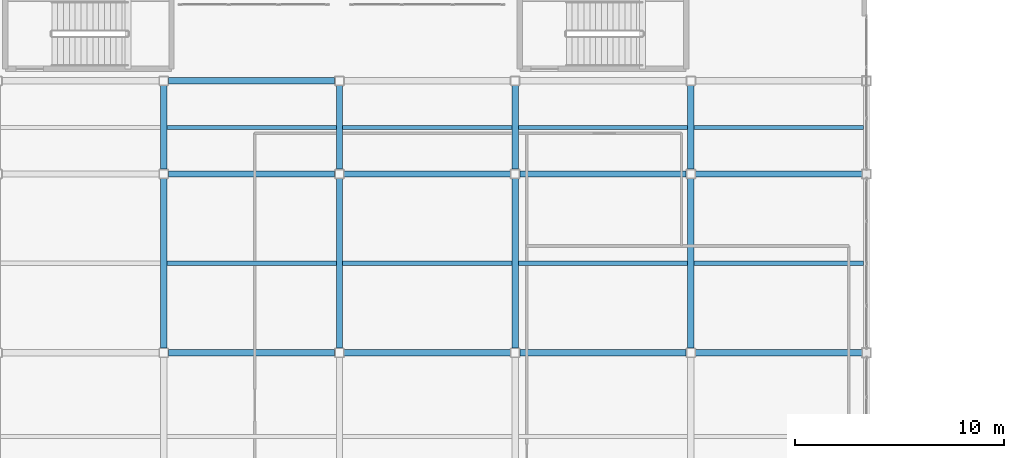
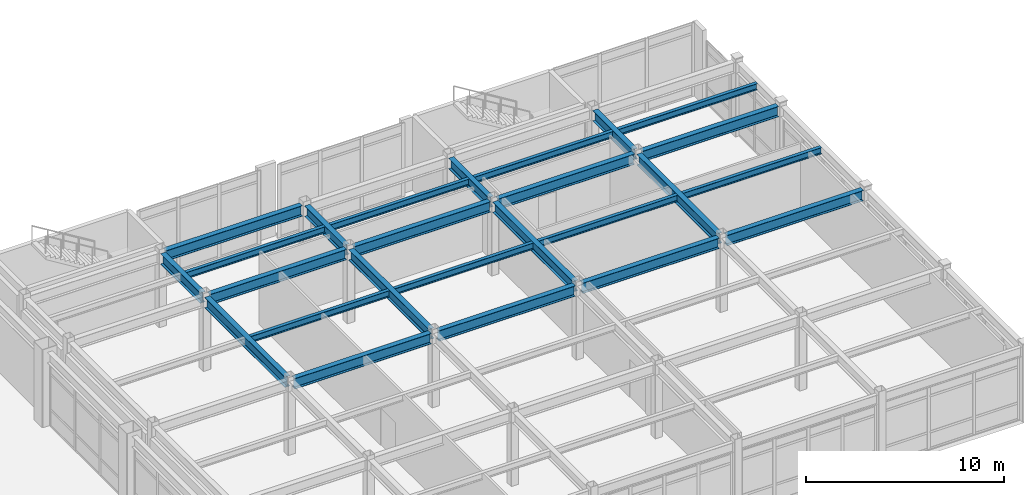
# One storey, part 85 of 172: 25 beams.
"""IFC4 building model written with IfcOpenShell, lengths in metres."""

from ifc_helpers import new_model, si_unit, direction, frame, origin, origin_2d, place, context, subcontext, project, spatial, i_section, extrude, material, material_profile, profile_set, type_object, element, save


model = new_model("IFC4")

# Units and contexts
model_context = context("Model", 3, precision=1e-05, world=origin(), true_north=direction((0.0, 1.0)))
body_context = subcontext(model_context, "Body", "Model", "MODEL_VIEW")
ifc_project = project(units=[si_unit("LENGTHUNIT", "METRE"), si_unit("AREAUNIT", "SQUARE_METRE"), si_unit("VOLUMEUNIT", "CUBIC_METRE"), si_unit("PLANEANGLEUNIT", "RADIAN"), si_unit("MASSUNIT", "GRAM", prefix="KILO")], contexts=[model_context])

# Site, building, storey
site_placement = place(None, origin())
site = spatial("IfcSite", under=ifc_project, at=site_placement, CompositionType="ELEMENT")
building_placement = place(site_placement, origin())
building = spatial("IfcBuilding", under=site, at=building_placement, Name="Kazehara Bluff Congress Hotel", CompositionType="ELEMENT")
storey_placement = place(building_placement, frame((0.0, 0.0, 5.39990234375)))
storey = spatial("IfcBuildingStorey", under=building, at=storey_placement, Name="L01", CompositionType="ELEMENT", Elevation=5.39990234375)

# Beams
ifc_material_1 = material(Name="Steel SN490B", Category="steel")
ifc_material_profile_1 = material_profile(ifc_material_1, i_section(OverallWidth=0.300048828125, OverallDepth=0.64990234375, WebThickness=0.011962890625, FlangeThickness=0.02001953125, FilletRadius=0.012939453125, at=origin_2d()))
ifc_profile_set_1 = profile_set([ifc_material_profile_1], Name="Steel SN490B")
beam_type_1 = type_object("IfcBeamType", Name="TP-G-03", PredefinedType="BEAM", material=ifc_profile_set_1)
beam_1_placement = place(storey_placement, frame((67.64990234375, 97.125, 4.22509765625), z_axis=(0.0, 1.0, 0.0), x_axis=(-1.0, 0.0, 0.0)))
element("IfcBeam", 1, at=beam_1_placement, inside=storey, type_object=beam_type_1, Name="L01 girder G-03 105", PredefinedType="BEAM", context=body_context, shape_type="SweptSolid", body=[
    extrude(i_section(OverallWidth=0.300048828125, OverallDepth=0.64990234375, WebThickness=0.011962890625, FlangeThickness=0.02001953125, FilletRadius=0.012939453125, at=origin_2d()), origin(), (0.0, 0.0, 1.0), 8.10009765625),
])
beam_2_placement = place(storey_placement, frame((67.64990234375, 105.675048828125, 4.22509765625), z_axis=(0.0, 1.0, 0.0), x_axis=(-1.0, 0.0, 0.0)))
element("IfcBeam", 2, at=beam_2_placement, inside=storey, type_object=beam_type_1, Name="L01 girder G-03 106", PredefinedType="BEAM", context=body_context, shape_type="SweptSolid", body=[
    extrude(i_section(OverallWidth=0.300048828125, OverallDepth=0.64990234375, WebThickness=0.011962890625, FlangeThickness=0.02001953125, FilletRadius=0.012939453125, at=origin_2d()), origin(), (0.0, 0.0, 1.0), 4.0),
])
beam_3_placement = place(storey_placement, frame((76.050048828125, 97.125, 4.22509765625), z_axis=(0.0, 1.0, 0.0), x_axis=(-1.0, 0.0, 0.0)))
element("IfcBeam", 3, at=beam_3_placement, inside=storey, type_object=beam_type_1, Name="L01 girder G-03 109", PredefinedType="BEAM", context=body_context, shape_type="SweptSolid", body=[
    extrude(i_section(OverallWidth=0.300048828125, OverallDepth=0.64990234375, WebThickness=0.011962890625, FlangeThickness=0.02001953125, FilletRadius=0.012939453125, at=origin_2d()), origin(), (0.0, 0.0, 1.0), 8.10009765625),
])
beam_4_placement = place(storey_placement, frame((76.050048828125, 105.675048828125, 4.22509765625), z_axis=(0.0, 1.0, 0.0), x_axis=(-1.0, 0.0, 0.0)))
element("IfcBeam", 4, at=beam_4_placement, inside=storey, type_object=beam_type_1, Name="L01 girder G-03 110", PredefinedType="BEAM", context=body_context, shape_type="SweptSolid", body=[
    extrude(i_section(OverallWidth=0.300048828125, OverallDepth=0.64990234375, WebThickness=0.011962890625, FlangeThickness=0.02001953125, FilletRadius=0.012939453125, at=origin_2d()), origin(), (0.0, 0.0, 1.0), 4.0),
])
beam_5_placement = place(storey_placement, frame((84.449951171875, 97.125, 4.22509765625), z_axis=(0.0, 1.0, 0.0), x_axis=(-1.0, 0.0, 0.0)))
element("IfcBeam", 5, at=beam_5_placement, inside=storey, type_object=beam_type_1, Name="L01 girder G-03 113", PredefinedType="BEAM", context=body_context, shape_type="SweptSolid", body=[
    extrude(i_section(OverallWidth=0.300048828125, OverallDepth=0.64990234375, WebThickness=0.011962890625, FlangeThickness=0.02001953125, FilletRadius=0.012939453125, at=origin_2d()), origin(), (0.0, 0.0, 1.0), 8.10009765625),
])
beam_6_placement = place(storey_placement, frame((84.449951171875, 105.675048828125, 4.22509765625), z_axis=(0.0, 1.0, 0.0), x_axis=(-1.0, 0.0, 0.0)))
element("IfcBeam", 6, at=beam_6_placement, inside=storey, type_object=beam_type_1, Name="L01 girder G-03 114", PredefinedType="BEAM", context=body_context, shape_type="SweptSolid", body=[
    extrude(i_section(OverallWidth=0.300048828125, OverallDepth=0.64990234375, WebThickness=0.011962890625, FlangeThickness=0.02001953125, FilletRadius=0.012939453125, at=origin_2d()), origin(), (0.0, 0.0, 1.0), 4.0),
])
beam_7_placement = place(storey_placement, frame((92.85009765625, 97.125, 4.22509765625), z_axis=(0.0, 1.0, 0.0), x_axis=(-1.0, 0.0, 0.0)))
element("IfcBeam", 7, at=beam_7_placement, inside=storey, type_object=beam_type_1, Name="L01 girder G-03 117", PredefinedType="BEAM", context=body_context, shape_type="SweptSolid", body=[
    extrude(i_section(OverallWidth=0.300048828125, OverallDepth=0.64990234375, WebThickness=0.011962890625, FlangeThickness=0.02001953125, FilletRadius=0.012939453125, at=origin_2d()), origin(), (0.0, 0.0, 1.0), 8.10009765625),
])
beam_8_placement = place(storey_placement, frame((92.85009765625, 105.675048828125, 4.22509765625), z_axis=(0.0, 1.0, 0.0), x_axis=(-1.0, 0.0, 0.0)))
element("IfcBeam", 8, at=beam_8_placement, inside=storey, type_object=beam_type_1, Name="L01 girder G-03 118", PredefinedType="BEAM", context=body_context, shape_type="SweptSolid", body=[
    extrude(i_section(OverallWidth=0.300048828125, OverallDepth=0.64990234375, WebThickness=0.011962890625, FlangeThickness=0.02001953125, FilletRadius=0.012939453125, at=origin_2d()), origin(), (0.0, 0.0, 1.0), 4.0),
])
beam_9_placement = place(storey_placement, frame((67.875, 96.89990234375, 4.22509765625), z_axis=(1.0, 0.0, 0.0), x_axis=(0.0, 1.0, 0.0)))
element("IfcBeam", 9, at=beam_9_placement, inside=storey, type_object=beam_type_1, Name="L01 girder G-03 134", PredefinedType="BEAM", context=body_context, shape_type="SweptSolid", body=[
    extrude(i_section(OverallWidth=0.300048828125, OverallDepth=0.64990234375, WebThickness=0.011962890625, FlangeThickness=0.02001953125, FilletRadius=0.012939453125, at=origin_2d()), origin(), (0.0, 0.0, 1.0), 7.949951171875),
])
beam_10_placement = place(storey_placement, frame((76.27490234375, 96.89990234375, 4.22509765625), z_axis=(1.0, 0.0, 0.0), x_axis=(0.0, 1.0, 0.0)))
element("IfcBeam", 10, at=beam_10_placement, inside=storey, type_object=beam_type_1, Name="L01 girder G-03 135", PredefinedType="BEAM", context=body_context, shape_type="SweptSolid", body=[
    extrude(i_section(OverallWidth=0.300048828125, OverallDepth=0.64990234375, WebThickness=0.011962890625, FlangeThickness=0.02001953125, FilletRadius=0.012939453125, at=origin_2d()), origin(), (0.0, 0.0, 1.0), 7.9501953125),
])
for number, where, z_axis, x_axis, name in (
    (11, (84.675048828125, 96.89990234375, 4.22509765625), (1.0, 0.0, 0.0), (0.0, 1.0, 0.0), "L01 girder G-03 136"),
    (12, (93.074951171875, 96.89990234375, 4.22509765625), (1.0, 0.0, 0.0), (0.0, 1.0, 0.0), "L01 girder G-03 137"),
    (13, (67.875, 105.449951171875, 4.22509765625), (1.0, 0.0, 0.0), (0.0, 1.0, 0.0), "L01 girder G-03 139"),
):
    element("IfcBeam", number, at=place(storey_placement, frame(where, z_axis=z_axis, x_axis=x_axis)), inside=storey, type_object=beam_type_1, Name=name, PredefinedType="BEAM", context=body_context, shape_type="SweptSolid", body=[
        extrude(i_section(OverallWidth=0.300048828125, OverallDepth=0.64990234375, WebThickness=0.011962890625, FlangeThickness=0.02001953125, FilletRadius=0.012939453125, at=origin_2d()), origin(), (0.0, 0.0, 1.0), 7.949951171875),
    ])
beam_11_placement = place(storey_placement, frame((76.27490234375, 105.449951171875, 4.22509765625), z_axis=(1.0, 0.0, 0.0), x_axis=(0.0, 1.0, 0.0)))
element("IfcBeam", 14, at=beam_11_placement, inside=storey, type_object=beam_type_1, Name="L01 girder G-03 140", PredefinedType="BEAM", context=body_context, shape_type="SweptSolid", body=[
    extrude(i_section(OverallWidth=0.300048828125, OverallDepth=0.64990234375, WebThickness=0.011962890625, FlangeThickness=0.02001953125, FilletRadius=0.012939453125, at=origin_2d()), origin(), (0.0, 0.0, 1.0), 7.9501953125),
])
for number, where, z_axis, x_axis, name in (
    (15, (84.675048828125, 105.449951171875, 4.22509765625), (1.0, 0.0, 0.0), (0.0, 1.0, 0.0), "L01 girder G-03 141"),
    (16, (93.074951171875, 105.449951171875, 4.22509765625), (1.0, 0.0, 0.0), (0.0, 1.0, 0.0), "L01 girder G-03 142"),
    (17, (67.875, 109.89990234375, 4.22509765625), (1.0, 0.0, 0.0), (0.0, 1.0, 0.0), "L01 girder G-03 144"),
):
    element("IfcBeam", number, at=place(storey_placement, frame(where, z_axis=z_axis, x_axis=x_axis)), inside=storey, type_object=beam_type_1, Name=name, PredefinedType="BEAM", context=body_context, shape_type="SweptSolid", body=[
        extrude(i_section(OverallWidth=0.300048828125, OverallDepth=0.64990234375, WebThickness=0.011962890625, FlangeThickness=0.02001953125, FilletRadius=0.012939453125, at=origin_2d()), origin(), (0.0, 0.0, 1.0), 7.949951171875),
    ])
ifc_material_2 = material(Name="Steel SN400B", Category="steel")
ifc_material_profile_2 = material_profile(ifc_material_2, i_section(OverallWidth=0.199951171875, OverallDepth=0.39990234375, WebThickness=0.008056640625, FlangeThickness=0.012939453125, FilletRadius=0.012939453125, at=origin_2d()))
ifc_profile_set_2 = profile_set([ifc_material_profile_2], Name="Steel SN400B")
beam_type_2 = type_object("IfcBeamType", Name="TP-J-03", PredefinedType="JOIST", material=ifc_profile_set_2)
for number, where, z_axis, x_axis, name in (
    (18, (67.800048828125, 101.175048828125, 4.35009765625), (1.0, 0.0, 0.0), (0.0, 1.0, 0.0), "L01 secondary joist J-03 19"),
    (19, (67.800048828125, 107.675048828125, 4.35009765625), (1.0, 0.0, 0.0), (0.0, 1.0, 0.0), "L01 secondary joist J-03 20"),
):
    element("IfcBeam", number, at=place(storey_placement, frame(where, z_axis=z_axis, x_axis=x_axis)), inside=storey, type_object=beam_type_2, Name=name, PredefinedType="JOIST", context=body_context, shape_type="SweptSolid", body=[
        extrude(i_section(OverallWidth=0.199951171875, OverallDepth=0.39990234375, WebThickness=0.008056640625, FlangeThickness=0.012939453125, FilletRadius=0.012939453125, at=origin_2d()), origin(), (0.0, 0.0, 1.0), 8.099853515625),
    ])
for number, where, z_axis, x_axis, name in (
    (20, (76.199951171875, 101.175048828125, 4.35009765625), (1.0, 0.0, 0.0), (0.0, 1.0, 0.0), "L01 secondary joist J-03 23"),
    (21, (76.199951171875, 107.675048828125, 4.35009765625), (1.0, 0.0, 0.0), (0.0, 1.0, 0.0), "L01 secondary joist J-03 24"),
):
    element("IfcBeam", number, at=place(storey_placement, frame(where, z_axis=z_axis, x_axis=x_axis)), inside=storey, type_object=beam_type_2, Name=name, PredefinedType="JOIST", context=body_context, shape_type="SweptSolid", body=[
        extrude(i_section(OverallWidth=0.199951171875, OverallDepth=0.39990234375, WebThickness=0.008056640625, FlangeThickness=0.012939453125, FilletRadius=0.012939453125, at=origin_2d()), origin(), (0.0, 0.0, 1.0), 8.10009765625),
    ])
for number, where, z_axis, x_axis, name in (
    (22, (84.60009765625, 101.175048828125, 4.35009765625), (1.0, 0.0, 0.0), (0.0, 1.0, 0.0), "L01 secondary joist J-03 27"),
    (23, (84.60009765625, 107.675048828125, 4.35009765625), (1.0, 0.0, 0.0), (0.0, 1.0, 0.0), "L01 secondary joist J-03 28"),
):
    element("IfcBeam", number, at=place(storey_placement, frame(where, z_axis=z_axis, x_axis=x_axis)), inside=storey, type_object=beam_type_2, Name=name, PredefinedType="JOIST", context=body_context, shape_type="SweptSolid", body=[
        extrude(i_section(OverallWidth=0.199951171875, OverallDepth=0.39990234375, WebThickness=0.008056640625, FlangeThickness=0.012939453125, FilletRadius=0.012939453125, at=origin_2d()), origin(), (0.0, 0.0, 1.0), 8.099853515625),
    ])
for number, where, z_axis, x_axis, name in (
    (24, (93.0, 101.175048828125, 4.35009765625), (1.0, 0.0, 0.0), (0.0, 1.0, 0.0), "L01 secondary joist J-03 31"),
    (25, (93.0, 107.675048828125, 4.35009765625), (1.0, 0.0, 0.0), (0.0, 1.0, 0.0), "L01 secondary joist J-03 32"),
):
    element("IfcBeam", number, at=place(storey_placement, frame(where, z_axis=z_axis, x_axis=x_axis)), inside=storey, type_object=beam_type_2, Name=name, PredefinedType="JOIST", context=body_context, shape_type="SweptSolid", body=[
        extrude(i_section(OverallWidth=0.199951171875, OverallDepth=0.39990234375, WebThickness=0.008056640625, FlangeThickness=0.012939453125, FilletRadius=0.012939453125, at=origin_2d()), origin(), (0.0, 0.0, 1.0), 8.10009765625),
    ])

save(model, "model.ifc")
